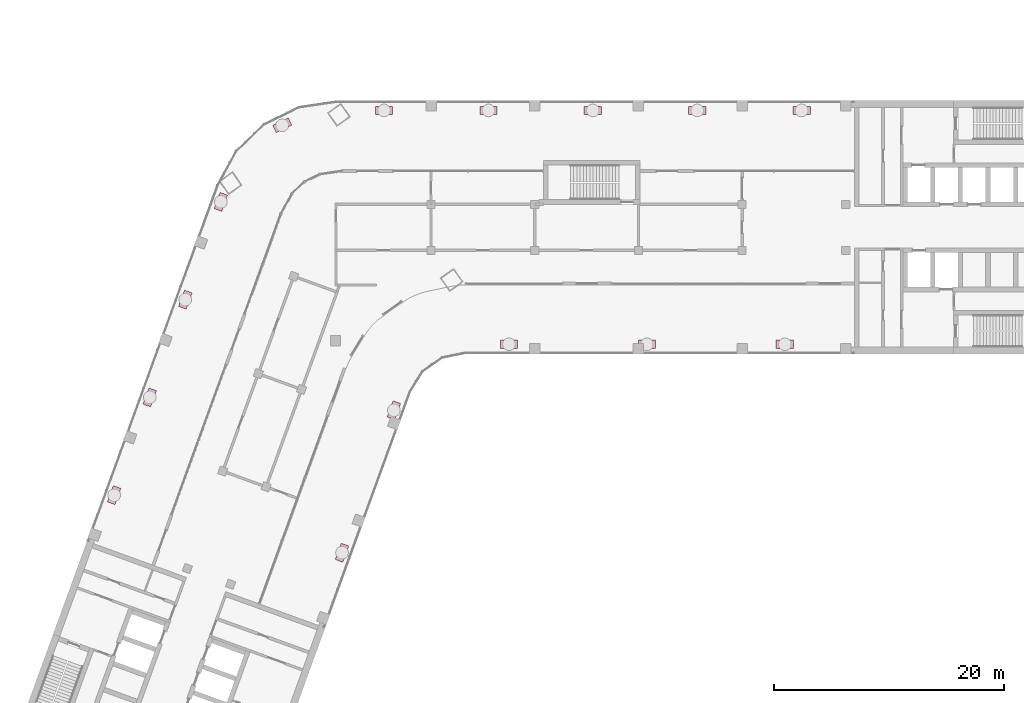
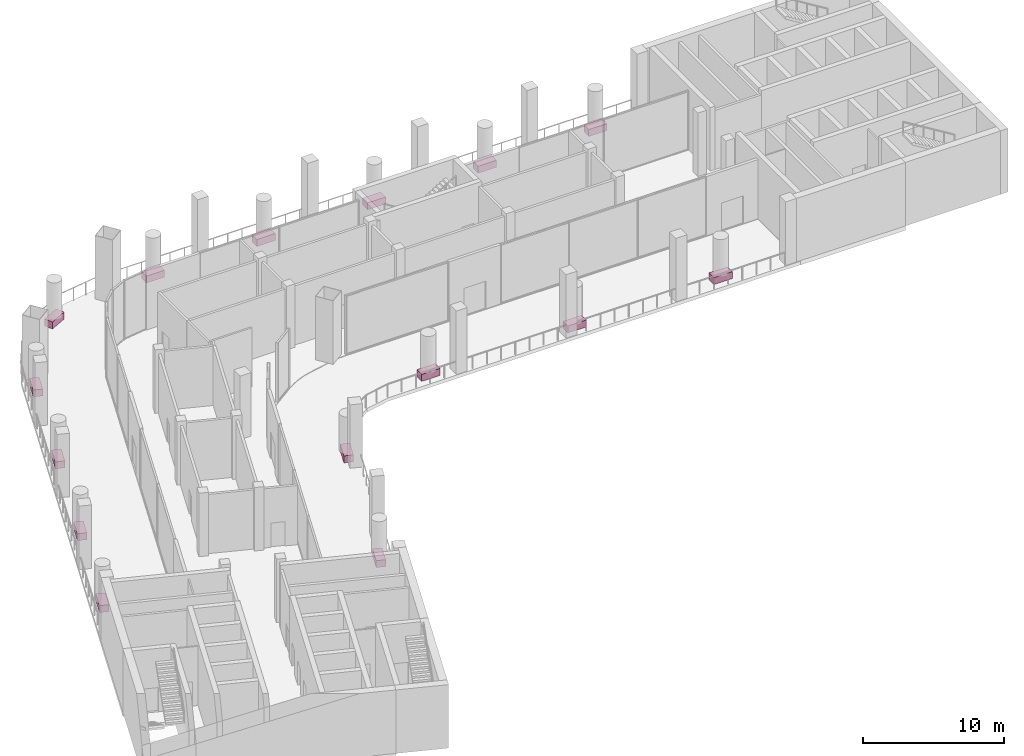
# One storey, part 18 of 19: 15 furniture elements.
"""IFC4 building model written with IfcOpenShell, lengths in metres."""

from ifc_helpers import new_model, si_unit, direction, frame, origin, origin_2d, place, context, subcontext, project, spatial, rectangle, extrude, element, save


model = new_model("IFC4")

# Units and contexts
model_context = context("Model", 3, precision=1e-05, world=origin(), true_north=direction((0.0, 1.0)))
body_context = subcontext(model_context, "Body", "Model", "MODEL_VIEW")
ifc_project = project(units=[si_unit("LENGTHUNIT", "METRE"), si_unit("AREAUNIT", "SQUARE_METRE"), si_unit("VOLUMEUNIT", "CUBIC_METRE"), si_unit("PLANEANGLEUNIT", "RADIAN"), si_unit("MASSUNIT", "GRAM", prefix="KILO")], contexts=[model_context])

# Site, building, storey
site_placement = place(None, origin())
site = spatial("IfcSite", under=ifc_project, at=site_placement, CompositionType="ELEMENT")
building_placement = place(site_placement, origin())
building = spatial("IfcBuilding", under=site, at=building_placement, Name="Skarvind Civic Tower", CompositionType="ELEMENT")
storey_placement = place(building_placement, frame((0.0, 0.0, 75.5)))
storey = spatial("IfcBuildingStorey", under=building, at=storey_placement, Name="L17", CompositionType="ELEMENT", Elevation=75.5)

# Furniture
for number, where, z_axis, x_axis, name in (
    (1, (41.32861328125, 136.861083984375, 0.0), (0.0, 0.0, 1.0), (0.897643314515, 0.440722679139, 0.0), "TERRACE PLANTER"),
    (2, (50.166748046875, 138.14990234375, 0.0), (0.0, 0.0, 1.0), (1.0, 0.0, 0.0), "TERRACE PLANTER"),
    (3, (59.2294921875, 138.14990234375, 0.0), (0.0, 0.0, 1.0), (1.0, 0.0, 0.0), "TERRACE PLANTER"),
    (4, (68.29248046875, 138.14990234375, 0.0), (0.0, 0.0, 1.0), (1.0, 0.0, 0.0), "TERRACE PLANTER"),
    (5, (77.355712890625, 138.14990234375, 0.0), (0.0, 0.0, 1.0), (1.0, 0.0, 0.0), "TERRACE PLANTER"),
    (6, (86.41845703125, 138.14990234375, 0.0), (0.0, 0.0, 1.0), (1.0, 0.0, 0.0), "TERRACE PLANTER"),
    (7, (26.73681640625, 104.75146484375, 0.0), (0.0, 0.0, 1.0), (0.342020143326, 0.939692620786, 0.0), "TERRACE PLANTER"),
    (8, (29.825439453125, 113.2373046875, 0.0), (0.0, 0.0, 1.0), (0.342020143326, 0.939692620786, 0.0), "TERRACE PLANTER"),
    (9, (32.9140625, 121.72314453125, 0.0), (0.0, 0.0, 1.0), (0.342020143326, 0.939692620786, 0.0), "TERRACE PLANTER"),
    (10, (36.002685546875, 130.208984375, 0.0), (0.0, 0.0, 1.0), (0.342020143326, 0.939692620786, 0.0), "TERRACE PLANTER"),
    (11, (51.02099609375, 112.1181640625, 0.0), (0.0, 0.0, 1.0), (-0.342020143326, -0.939692620786, 0.0), "TERRACE PLANTER"),
    (12, (46.519287109375, 99.749755859375, 0.0), (0.0, 0.0, 1.0), (-0.342020143326, -0.939692620786, 0.0), "TERRACE PLANTER"),
    (13, (84.9619140625, 117.85009765625, 0.0), (0.0, 0.0, 1.0), (-1.0, 0.0, 0.0), "TERRACE PLANTER"),
    (14, (72.98583984375, 117.85009765625, 0.0), (0.0, 0.0, 1.0), (-1.0, 0.0, 0.0), "TERRACE PLANTER"),
    (15, (61.009765625, 117.85009765625, 0.0), (0.0, 0.0, 1.0), (-1.0, 0.0, 0.0), "TERRACE PLANTER"),
):
    element("IfcFurniture", number, at=place(storey_placement, frame(where, z_axis=z_axis, x_axis=x_axis)), inside=storey, Name=name, ObjectType="PLANTER", PredefinedType="USERDEFINED", context=body_context, shape_type="SweptSolid", body=[
        extrude(rectangle(XDim=1.5, YDim=0.699951171875, at=origin_2d()), origin(), (0.0, 0.0, 1.0), 0.60009765625),
    ])

save(model, "model.ifc")
